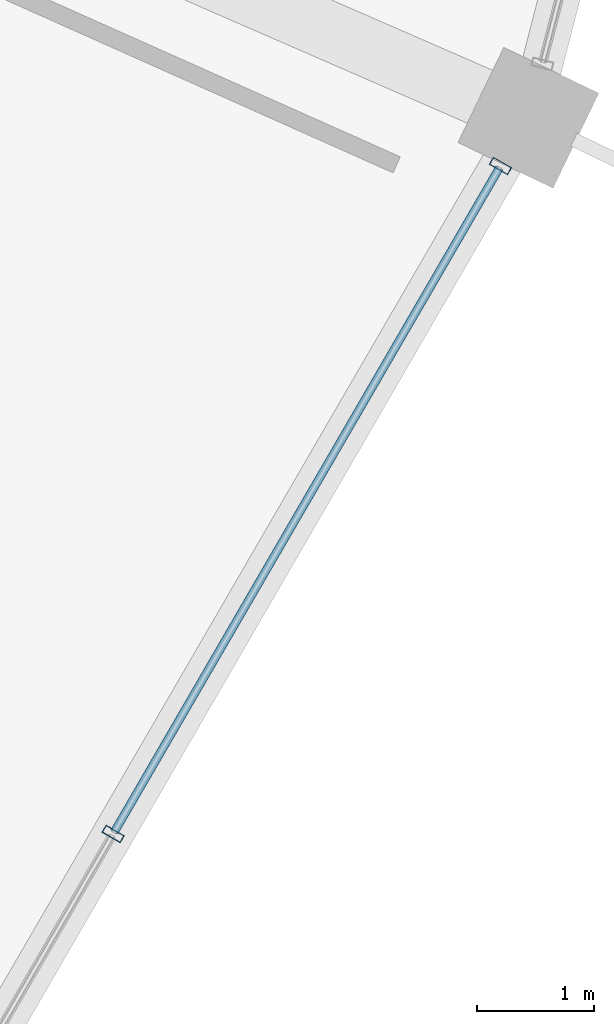
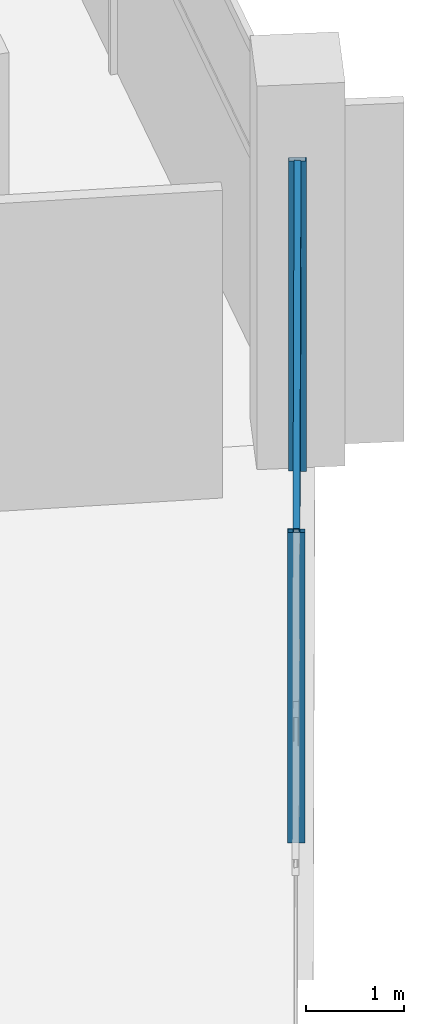
# One storey, part 53 of 156: 4 members, 1 element without a shape of its own.
"""IFC4 building model written with IfcOpenShell, lengths in metres."""

from ifc_helpers import new_model, si_unit, direction, frame, origin, origin_2d, place, context, subcontext, project, spatial, hollow_rectangle, extrude, material, layer, layer_set, material_profile, profile_set, type_object, element, aggregate, save


model = new_model("IFC4")

# Units and contexts
model_context = context("Model", 3, precision=1e-05, world=origin(), true_north=direction((0.0, 1.0)))
body_context = subcontext(model_context, "Body", "Model", "MODEL_VIEW")
ifc_project = project(units=[si_unit("LENGTHUNIT", "METRE"), si_unit("AREAUNIT", "SQUARE_METRE"), si_unit("VOLUMEUNIT", "CUBIC_METRE"), si_unit("PLANEANGLEUNIT", "RADIAN"), si_unit("MASSUNIT", "GRAM", prefix="KILO")], contexts=[model_context])

# Site, building, storey
site_placement = place(None, origin())
site = spatial("IfcSite", under=ifc_project, at=site_placement, CompositionType="ELEMENT")
building_placement = place(site_placement, origin())
building = spatial("IfcBuilding", under=site, at=building_placement, Name="Kazemori Nagisa Stadium", CompositionType="ELEMENT")
storey_placement = place(building_placement, frame((0.0, 0.0, 5.780029296875)))
storey = spatial("IfcBuildingStorey", under=building, at=storey_placement, Name="L01", CompositionType="ELEMENT", Elevation=5.780029296875)

# Curtain wall, members
ifc_material_1 = material(Name="Anodised aluminium 6063-T5", Category="aluminium")
ifc_layer = layer(ifc_material_1, 0.179931640625, Name="Anodised aluminium 6063-T5", Category="aluminium")
ifc_layer_set = layer_set([ifc_layer], Name="Anodised aluminium 6063-T5")
curtain_wall_type = type_object("IfcCurtainWallType", Name="CW_L01R3_99", PredefinedType="USERDEFINED", material=ifc_layer_set)
curtain_wall_placement = place(storey_placement, origin())
curtain_wall = element("IfcCurtainWall", 1, at=curtain_wall_placement, inside=storey, type_object=curtain_wall_type, Name="Unitised curtain wall CW-L01R3-99 L01", ObjectType="UNITISED CURTAIN WALL", PredefinedType="USERDEFINED")
ifc_material_2 = material(Name="Aluminium 6063-T5 anodised", Category="aluminium")
ifc_material_profile_1 = material_profile(ifc_material_2, hollow_rectangle(XDim=0.070068359375, YDim=0.179931640625, WallThickness=0.00390625, at=origin_2d()), Name="ALU-MULL-70x180x4")
ifc_profile_set_1 = profile_set([ifc_material_profile_1], Name="Aluminium 6063-T5 anodised")
member_type_1 = type_object("IfcMemberType", Name="Mullion_M01", PredefinedType="MULLION", material=ifc_profile_set_1)
member_1_placement = place(storey_placement, frame((208.34228515625, 57.140869140625, 0.0), z_axis=(0.0, 0.0, 1.0), x_axis=(0.501611590054, 0.865092950337, 0.0)))
member_1 = element("IfcMember", 2, at=member_1_placement, type_object=member_type_1, Name="Curtain wall mullion CW-L01R3-99-M3", PredefinedType="MULLION", context=body_context, shape_type="SweptSolid", body=[
    extrude(hollow_rectangle(XDim=0.070068359375, YDim=0.179931640625, WallThickness=0.00390625, at=origin_2d()), origin(), (0.0, 0.0, 1.0), 3.849853515625),
])
member_2_placement = place(storey_placement, frame((211.646728515625, 62.839599609375, 0.0), z_axis=(0.0, 0.0, 1.0), x_axis=(0.501611590054, 0.865092950337, 0.0)))
member_2 = element("IfcMember", 3, at=member_2_placement, type_object=member_type_1, Name="Curtain wall mullion CW-L01R3-99-M4", PredefinedType="MULLION", context=body_context, shape_type="SweptSolid", body=[
    extrude(hollow_rectangle(XDim=0.070068359375, YDim=0.179931640625, WallThickness=0.00390625, at=origin_2d()), origin(), (0.0, 0.0, 1.0), 3.849853515625),
])
ifc_material_profile_2 = material_profile(ifc_material_2, hollow_rectangle(XDim=0.070068359375, YDim=0.139892578125, WallThickness=0.00390625, at=origin_2d()), Name="ALU-TRAN-70x140x4")
ifc_profile_set_2 = profile_set([ifc_material_profile_2], Name="Aluminium 6063-T5 anodised")
member_type_2 = type_object("IfcMemberType", Name="Transom_T01", PredefinedType="USERDEFINED", material=ifc_profile_set_2)
member_3_placement = place(storey_placement, frame((208.352294921875, 57.158203125, 2.4638671875), z_axis=(0.501634382126, 0.865079734284, 0.0), x_axis=(-0.865079734284, 0.501634382126, 0.0)))
member_3 = element("IfcMember", 4, at=member_3_placement, type_object=member_type_2, Name="Curtain wall transom CW-L01R3-99-T3-mid", ObjectType="TRANSOM", PredefinedType="USERDEFINED", context=body_context, shape_type="SweptSolid", body=[
    extrude(hollow_rectangle(XDim=0.070068359375, YDim=0.139892578125, WallThickness=0.00390625, at=origin_2d()), origin(), (0.0, 0.0, 1.0), 6.54736328125),
])
member_4_placement = place(storey_placement, frame((208.352294921875, 57.158203125, 3.780029296875), z_axis=(0.501634382126, 0.865079734284, 0.0), x_axis=(-0.865079734284, 0.501634382126, 0.0)))
member_4 = element("IfcMember", 5, at=member_4_placement, type_object=member_type_2, Name="Curtain wall transom CW-L01R3-99-T3-head", ObjectType="TRANSOM", PredefinedType="USERDEFINED", context=body_context, shape_type="SweptSolid", body=[
    extrude(hollow_rectangle(XDim=0.070068359375, YDim=0.139892578125, WallThickness=0.00390625, at=origin_2d()), origin(), (0.0, 0.0, 1.0), 6.54736328125),
])
aggregate(curtain_wall, [member_1, member_2, member_3, member_4])

save(model, "model.ifc")
